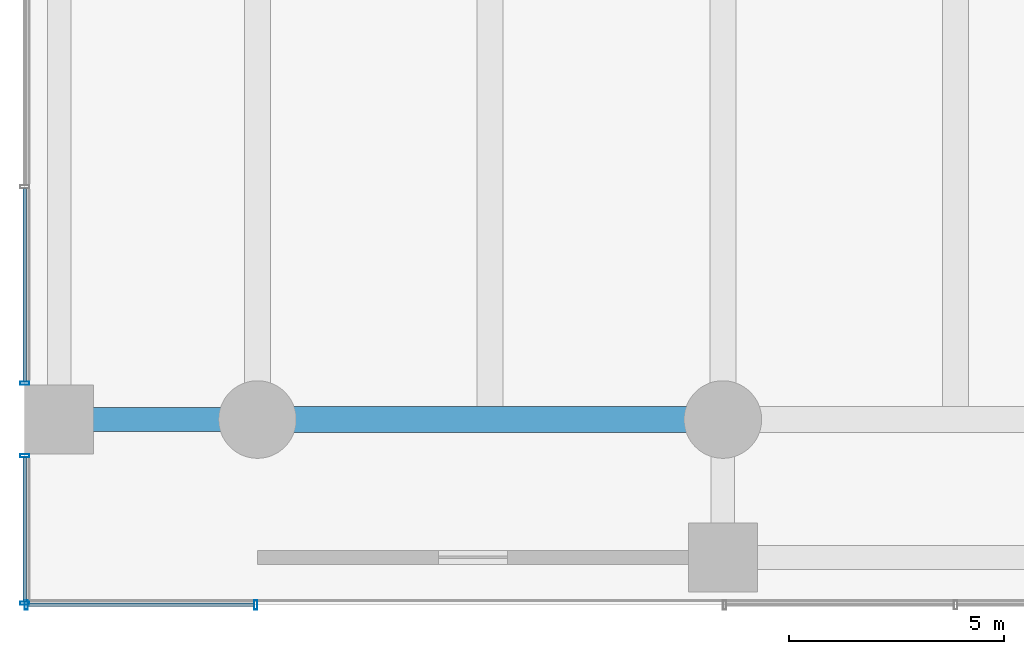
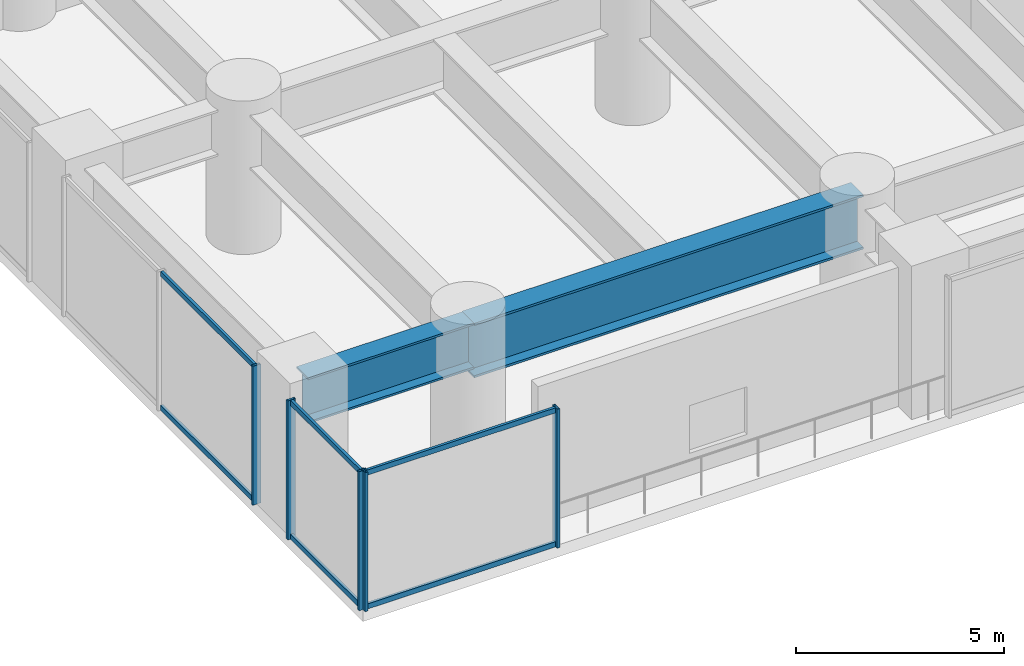
# One storey, part 2 of 37: 11 members, 2 beams, 3 elements without a shape of their own.
"""IFC4 building model written with IfcOpenShell, lengths in metres."""

from ifc_helpers import new_model, si_unit, direction, frame, origin, origin_2d, place, context, subcontext, project, spatial, hollow_rectangle, i_section, extrude, material, layer, layer_set, material_profile, profile_set, type_object, element, aggregate, save


model = new_model("IFC4")

# Units and contexts
model_context = context("Model", 3, precision=1e-05, world=origin(), true_north=direction((0.0, 1.0)))
body_context = subcontext(model_context, "Body", "Model", "MODEL_VIEW")
ifc_project = project(units=[si_unit("LENGTHUNIT", "METRE"), si_unit("AREAUNIT", "SQUARE_METRE"), si_unit("VOLUMEUNIT", "CUBIC_METRE"), si_unit("PLANEANGLEUNIT", "RADIAN"), si_unit("MASSUNIT", "GRAM", prefix="KILO")], contexts=[model_context])

# Site, building, storey
site_placement = place(None, origin())
site = spatial("IfcSite", under=ifc_project, at=site_placement, CompositionType="ELEMENT")
building_placement = place(site_placement, origin())
building = spatial("IfcBuilding", under=site, at=building_placement, Name="Surkhivell Harbour Commons", CompositionType="ELEMENT")
storey_placement = place(building_placement, frame((0.0, 0.0, 18.0)))
storey = spatial("IfcBuildingStorey", under=building, at=storey_placement, Name="L04", CompositionType="ELEMENT", Elevation=18.0)

# Beams
ifc_material_1 = material(Name="Steel S460", Category="steel")
ifc_material_profile_1 = material_profile(ifc_material_1, i_section(OverallWidth=0.550048828125, OverallDepth=1.35009765625, WebThickness=0.031982421875, FlangeThickness=0.06005859375, at=origin_2d()), Name="WPG1350x550x248")
ifc_profile_set_1 = profile_set([ifc_material_profile_1], Name="Steel S460")
beam_type_1 = type_object("IfcBeamType", Name="BM-TRF-1350", PredefinedType="BEAM", material=ifc_profile_set_1)
beam_1_placement = place(storey_placement, frame((-37.0, -21.60009765625, 3.405029296875), z_axis=(1.0, 0.0, 0.0), x_axis=(0.0, 1.0, 0.0)))
element("IfcBeam", 1, at=beam_1_placement, inside=storey, type_object=beam_type_1, Name="L04 Transfer Girder (-37.0,-21.6)", PredefinedType="BEAM", context=body_context, shape_type="SweptSolid", body=[
    extrude(i_section(OverallWidth=0.550048828125, OverallDepth=1.35009765625, WebThickness=0.031982421875, FlangeThickness=0.06005859375, at=origin_2d()), origin(), (0.0, 0.0, 1.0), 4.60009765625),
])
ifc_material_profile_2 = material_profile(ifc_material_1, i_section(OverallWidth=0.60009765625, OverallDepth=1.60009765625, WebThickness=0.035888671875, FlangeThickness=0.06494140625, at=origin_2d()), Name="WPG1600x600x296")
ifc_profile_set_2 = profile_set([ifc_material_profile_2], Name="Steel S460")
beam_type_2 = type_object("IfcBeamType", Name="BM-TRF-1600", PredefinedType="BEAM", material=ifc_profile_set_2)
beam_2_placement = place(storey_placement, frame((-32.39990234375, -21.60009765625, 3.280029296875), z_axis=(1.0, 0.0, 0.0), x_axis=(0.0, 1.0, 0.0)))
element("IfcBeam", 2, at=beam_2_placement, inside=storey, type_object=beam_type_2, Name="L04 Transfer Girder (-32.4,-21.6)", PredefinedType="BEAM", context=body_context, shape_type="SweptSolid", body=[
    extrude(i_section(OverallWidth=0.60009765625, OverallDepth=1.60009765625, WebThickness=0.035888671875, FlangeThickness=0.06494140625, at=origin_2d()), origin(), (0.0, 0.0, 1.0), 10.7998046875),
])

# Curtain wall, members
ifc_material_2 = material(Name="Anodised pale-metal aluminium and insulated glazing", Category="aluminium")
ifc_layer = layer(ifc_material_2, 0.239990234375)
ifc_layer_set = layer_set([ifc_layer], Name="Anodised pale-metal aluminium and insulated glazing")
curtain_wall_type = type_object("IfcCurtainWallType", Name="CW-SYS-POD", PredefinedType="NOTDEFINED", material=ifc_layer_set)
curtain_wall_1_placement = place(storey_placement, origin())
curtain_wall_1 = element("IfcCurtainWall", 3, at=curtain_wall_1_placement, inside=storey, type_object=curtain_wall_type, Name="L04 Curtain Wall CW-L04-S1", PredefinedType="NOTDEFINED")
ifc_material_3 = material(Name="Anodised pale-metal aluminium alloy 6063-T6", Category="aluminium")
ifc_material_profile_3 = material_profile(ifc_material_3, hollow_rectangle(XDim=0.074951171875, YDim=0.219970703125, WallThickness=0.00390625, at=origin_2d()), Name="ALU-MULL-75x220")
ifc_profile_set_3 = profile_set([ifc_material_profile_3], Name="Anodised pale-metal aluminium alloy 6063-T6")
member_type_1 = type_object("IfcMemberType", Name="CWM-220", PredefinedType="MULLION", material=ifc_profile_set_3)
member_1_placement = place(storey_placement, frame((-32.4375, -25.89990234375, 0.0), z_axis=(0.0, 0.0, 1.0), x_axis=(-1.0, 0.0, 0.0)))
member_1 = element("IfcMember", 4, at=member_1_placement, type_object=member_type_1, Name="CW-POD mullion 1", PredefinedType="MULLION", context=body_context, shape_type="SweptSolid", body=[
    extrude(hollow_rectangle(XDim=0.074951171875, YDim=0.219970703125, WallThickness=0.00390625, at=origin_2d()), origin(), (0.0, 0.0, 1.0), 4.080078125),
])
member_2_placement = place(storey_placement, frame((-37.762451171875, -25.89990234375, 0.0), z_axis=(0.0, 0.0, 1.0), x_axis=(-1.0, 0.0, 0.0)))
member_2 = element("IfcMember", 5, at=member_2_placement, type_object=member_type_1, Name="CW-POD mullion 2", PredefinedType="MULLION", context=body_context, shape_type="SweptSolid", body=[
    extrude(hollow_rectangle(XDim=0.074951171875, YDim=0.219970703125, WallThickness=0.00390625, at=origin_2d()), origin(), (0.0, 0.0, 1.0), 4.080078125),
])

curtain_wall_2_placement = place(storey_placement, origin())
curtain_wall_2 = element("IfcCurtainWall", 6, at=curtain_wall_2_placement, inside=storey, type_object=curtain_wall_type, Name="L04 Curtain Wall CW-L04-W1", PredefinedType="NOTDEFINED")
member_3_placement = place(storey_placement, frame((-37.800048828125, -25.862548828125, 0.0), z_axis=(0.0, 0.0, 1.0), x_axis=(0.0, 1.0, 0.0)))
member_3 = element("IfcMember", 7, at=member_3_placement, type_object=member_type_1, Name="CW-POD mullion 1", PredefinedType="MULLION", context=body_context, shape_type="SweptSolid", body=[
    extrude(hollow_rectangle(XDim=0.074951171875, YDim=0.219970703125, WallThickness=0.00390625, at=origin_2d()), origin(), (0.0, 0.0, 1.0), 4.080078125),
])
member_4_placement = place(storey_placement, frame((-37.800048828125, -22.439453125, 0.0), z_axis=(0.0, 0.0, 1.0), x_axis=(0.0, 1.0, 0.0)))
member_4 = element("IfcMember", 8, at=member_4_placement, type_object=member_type_1, Name="CW-POD mullion 2", PredefinedType="MULLION", context=body_context, shape_type="SweptSolid", body=[
    extrude(hollow_rectangle(XDim=0.074951171875, YDim=0.219970703125, WallThickness=0.00390625, at=origin_2d()), origin(), (0.0, 0.0, 1.0), 4.080078125),
])

# Curtain wall, member
curtain_wall_3_placement = place(storey_placement, origin())
curtain_wall_3 = element("IfcCurtainWall", 9, at=curtain_wall_3_placement, inside=storey, type_object=curtain_wall_type, Name="L04 Curtain Wall CW-L04-W2", PredefinedType="NOTDEFINED")
member_5_placement = place(storey_placement, frame((-37.800048828125, -20.760498046875, 0.0), z_axis=(0.0, 0.0, 1.0), x_axis=(0.0, 1.0, 0.0)))
member_5 = element("IfcMember", 10, at=member_5_placement, type_object=member_type_1, Name="CW-POD mullion 1", PredefinedType="MULLION", context=body_context, shape_type="SweptSolid", body=[
    extrude(hollow_rectangle(XDim=0.074951171875, YDim=0.219970703125, WallThickness=0.00390625, at=origin_2d()), origin(), (0.0, 0.0, 1.0), 4.080078125),
])

# Member
ifc_material_profile_4 = material_profile(ifc_material_3, hollow_rectangle(XDim=0.074951171875, YDim=0.14990234375, WallThickness=0.00341796875, at=origin_2d()), Name="ALU-TRAN-75x150")
ifc_profile_set_4 = profile_set([ifc_material_profile_4], Name="Anodised pale-metal aluminium alloy 6063-T6")
member_type_2 = type_object("IfcMemberType", Name="CWT-150", PredefinedType="USERDEFINED", material=ifc_profile_set_4)
member_6_placement = place(storey_placement, frame((-32.47509765625, -25.89990234375, 0.074951171875), z_axis=(-1.0, 0.0, 0.0), x_axis=(0.0, -1.0, 0.0)))
member_6 = element("IfcMember", 11, at=member_6_placement, type_object=member_type_2, Name="CW-POD transom 1.1", ObjectType="TRANSOM", PredefinedType="USERDEFINED", context=body_context, shape_type="SweptSolid", body=[
    extrude(hollow_rectangle(XDim=0.074951171875, YDim=0.14990234375, WallThickness=0.00341796875, at=origin_2d()), origin(), (0.0, 0.0, 1.0), 5.25),
])

member_7_placement = place(storey_placement, frame((-32.47509765625, -25.89990234375, 4.0048828125), z_axis=(-1.0, 0.0, 0.0), x_axis=(0.0, -1.0, 0.0)))
member_7 = element("IfcMember", 12, at=member_7_placement, type_object=member_type_2, Name="CW-POD transom 1.2", ObjectType="TRANSOM", PredefinedType="USERDEFINED", context=body_context, shape_type="SweptSolid", body=[
    extrude(hollow_rectangle(XDim=0.074951171875, YDim=0.14990234375, WallThickness=0.00341796875, at=origin_2d()), origin(), (0.0, 0.0, 1.0), 5.25),
])

aggregate(curtain_wall_1, [member_1, member_2, member_6, member_7])

member_8_placement = place(storey_placement, frame((-37.800048828125, -25.824951171875, 0.074951171875), z_axis=(0.0, 1.0, 0.0), x_axis=(-1.0, 0.0, 0.0)))
member_8 = element("IfcMember", 13, at=member_8_placement, type_object=member_type_2, Name="CW-POD transom 1.1", ObjectType="TRANSOM", PredefinedType="USERDEFINED", context=body_context, shape_type="SweptSolid", body=[
    extrude(hollow_rectangle(XDim=0.074951171875, YDim=0.14990234375, WallThickness=0.00341796875, at=origin_2d()), origin(), (0.0, 0.0, 1.0), 3.347900390625),
])

member_9_placement = place(storey_placement, frame((-37.800048828125, -25.824951171875, 4.0048828125), z_axis=(0.0, 1.0, 0.0), x_axis=(-1.0, 0.0, 0.0)))
member_9 = element("IfcMember", 14, at=member_9_placement, type_object=member_type_2, Name="CW-POD transom 1.2", ObjectType="TRANSOM", PredefinedType="USERDEFINED", context=body_context, shape_type="SweptSolid", body=[
    extrude(hollow_rectangle(XDim=0.074951171875, YDim=0.14990234375, WallThickness=0.00341796875, at=origin_2d()), origin(), (0.0, 0.0, 1.0), 3.347900390625),
])

aggregate(curtain_wall_2, [member_3, member_4, member_8, member_9])

member_10_placement = place(storey_placement, frame((-37.800048828125, -20.722900390625, 0.074951171875), z_axis=(0.0, 1.0, 0.0), x_axis=(-1.0, 0.0, 0.0)))
member_10 = element("IfcMember", 15, at=member_10_placement, type_object=member_type_2, Name="CW-POD transom 1.1", ObjectType="TRANSOM", PredefinedType="USERDEFINED", context=body_context, shape_type="SweptSolid", body=[
    extrude(hollow_rectangle(XDim=0.074951171875, YDim=0.14990234375, WallThickness=0.00341796875, at=origin_2d()), origin(), (0.0, 0.0, 1.0), 4.4853515625),
])

member_11_placement = place(storey_placement, frame((-37.800048828125, -20.722900390625, 4.0048828125), z_axis=(0.0, 1.0, 0.0), x_axis=(-1.0, 0.0, 0.0)))
member_11 = element("IfcMember", 16, at=member_11_placement, type_object=member_type_2, Name="CW-POD transom 1.2", ObjectType="TRANSOM", PredefinedType="USERDEFINED", context=body_context, shape_type="SweptSolid", body=[
    extrude(hollow_rectangle(XDim=0.074951171875, YDim=0.14990234375, WallThickness=0.00341796875, at=origin_2d()), origin(), (0.0, 0.0, 1.0), 4.4853515625),
])

aggregate(curtain_wall_3, [member_5, member_10, member_11])

save(model, "model.ifc")
